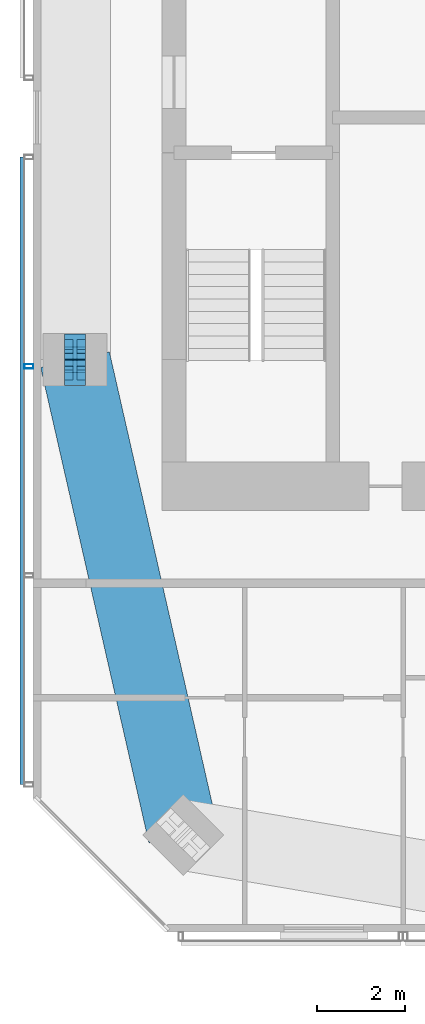
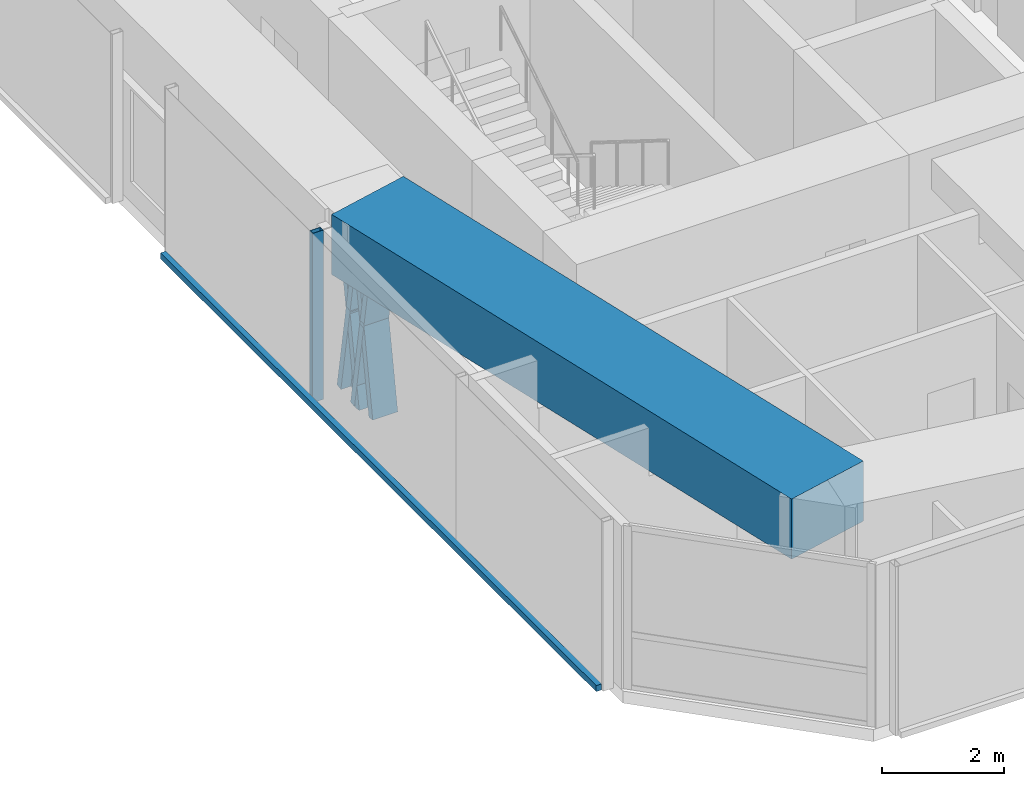
# One storey, part 3 of 18: 6 members, 1 beam, 1 element without a shape of its own.
"""IFC4 building model written with IfcOpenShell, lengths in metres."""

from ifc_helpers import new_model, si_unit, direction, frame, origin, origin_2d, place, context, subcontext, project, spatial, rectangle, hollow_rectangle, i_section, extrude, material, material_profile, profile_set, type_object, element, aggregate, save


model = new_model("IFC4")

# Units and contexts
model_context = context("Model", 3, precision=1e-05, world=origin(), true_north=direction((0.0, 1.0)))
body_context = subcontext(model_context, "Body", "Model", "MODEL_VIEW")
ifc_project = project(units=[si_unit("LENGTHUNIT", "METRE"), si_unit("AREAUNIT", "SQUARE_METRE"), si_unit("VOLUMEUNIT", "CUBIC_METRE"), si_unit("PLANEANGLEUNIT", "RADIAN"), si_unit("MASSUNIT", "GRAM", prefix="KILO")], contexts=[model_context])

# Site, building, storey
site_placement = place(None, origin())
site = spatial("IfcSite", under=ifc_project, at=site_placement, CompositionType="ELEMENT")
building_placement = place(site_placement, origin())
building = spatial("IfcBuilding", under=site, at=building_placement, Name="Jalousie Tower", CompositionType="ELEMENT")
storey_placement = place(building_placement, frame((0.0, 0.0, 249.449951171875)))
storey = spatial("IfcBuildingStorey", under=building, at=storey_placement, Name="L68", CompositionType="ELEMENT", Elevation=249.449951171875)

# Members
ifc_material_1 = material(Name="Steel ASTM A992 Grade 50", Category="steel")
ifc_material_profile_1 = material_profile(ifc_material_1, i_section(OverallWidth=0.472412109375, OverallDepth=0.5791015625, WebThickness=0.094970703125, FlangeThickness=0.1298828125, at=origin_2d()), Name="W14X808")
ifc_profile_set_1 = profile_set([ifc_material_profile_1], Name="Steel ASTM A992 Grade 50")
member_type_1 = type_object("IfcMemberType", Name="PERIMETER BRACE W14X808", PredefinedType="BRACE", material=ifc_profile_set_1)
for number, where, z_axis, x_axis, name in (
    (1, (17.75, 12.699951171875, -0.599853515625), (0.0, 0.168990530437, 0.98561767467), (-1.0, 0.0, 0.0), "Perimeter brace 14 L68 part 1"),
    (2, (17.75, 13.0, 1.150146484375), (0.0, 0.168990530437, 0.98561767467), (-1.0, 0.0, 0.0), "Perimeter brace 14 L68 part 2"),
    (3, (17.75, 13.300048828125, -0.599853515625), (0.0, -0.168990530437, 0.98561767467), (1.0, 0.0, 0.0), "Perimeter brace 14 L68 part 3"),
    (4, (17.75, 13.0, 1.150146484375), (0.0, -0.168990530437, 0.98561767467), (1.0, 0.0, 0.0), "Perimeter brace 14 L68 part 4"),
):
    element("IfcMember", number, at=place(storey_placement, frame(where, z_axis=z_axis, x_axis=x_axis)), inside=storey, type_object=member_type_1, Name=name, PredefinedType="BRACE", context=body_context, shape_type="SweptSolid", body=[
        extrude(i_section(OverallWidth=0.472412109375, OverallDepth=0.5791015625, WebThickness=0.094970703125, FlangeThickness=0.1298828125, at=origin_2d()), origin(), (0.0, 0.0, 1.0), 1.775634765625),
    ])

# Beam
ifc_material_2 = material(Name="Concrete f'c 40 MPa", Category="concrete")
ifc_material_profile_2 = material_profile(ifc_material_2, rectangle(XDim=1.60009765625, YDim=1.199951171875, at=origin_2d()), Name="RC 1600x1200")
ifc_profile_set_2 = profile_set([ifc_material_profile_2], Name="Concrete f'c 40 MPa")
beam_type = type_object("IfcBeamType", Name="RC BEAM 1600x1200", PredefinedType="BEAM", material=ifc_profile_set_2)
beam_placement = place(storey_placement, frame((17.75, 13.0, 2.900146484375), z_axis=(0.221971905818, -0.975053061647, 0.0), x_axis=(0.975053061647, 0.221971905818, 0.0)))
element("IfcBeam", 5, at=beam_placement, inside=storey, type_object=beam_type, Name="Edge band beam 14-01 under L69", PredefinedType="BEAM", context=body_context, shape_type="SweptSolid", body=[
    extrude(rectangle(XDim=1.60009765625, YDim=1.199951171875, at=origin_2d()), origin(), (0.0, 0.0, 1.0), 11.069091796875),
])

# Curtain wall, members
ifc_material_3 = material(Name="Perforated aluminium sheet", Category="aluminium")
curtain_wall_type = type_object("IfcCurtainWallType", Name="SOLAR SCREEN SS-2", PredefinedType="USERDEFINED", material=ifc_material_3)
curtain_wall_placement = place(storey_placement, origin())
curtain_wall = element("IfcCurtainWall", 6, at=curtain_wall_placement, inside=storey, type_object=curtain_wall_type, Name="Solar screen L68", ObjectType="SOLAR SCREEN SS-2", PredefinedType="USERDEFINED")
ifc_material_4 = material(Name="Steel ASTM A500 Grade C", Category="steel")
ifc_material_profile_3 = material_profile(ifc_material_4, hollow_rectangle(XDim=0.1015625, YDim=0.203125, WallThickness=0.0078125, at=origin_2d()), Name="HSS8X4X5/16")
ifc_profile_set_3 = profile_set([ifc_material_profile_3], Name="Steel ASTM A500 Grade C")
member_type_2 = type_object("IfcMemberType", Name="SOLAR SCREEN SS-2 MULLION", PredefinedType="MULLION", material=ifc_profile_set_3)
member_1_placement = place(storey_placement, frame((16.703369140625, 12.850341796875, -0.119873046875), z_axis=(0.0, 0.0, 1.0), x_axis=(0.0, -1.0, 0.0)))
member_1 = element("IfcMember", 7, at=member_1_placement, type_object=member_type_2, Name="SS2 post 2", PredefinedType="MULLION", context=body_context, shape_type="SweptSolid", body=[
    extrude(hollow_rectangle(XDim=0.1015625, YDim=0.203125, WallThickness=0.0078125, at=origin_2d()), origin(), (0.0, 0.0, 1.0), 3.3798828125),
])
ifc_material_5 = material(Name="Extruded aluminium screen rail", Category="aluminium")
ifc_material_profile_4 = material_profile(ifc_material_5, rectangle(XDim=0.1015625, YDim=0.1201171875, at=origin_2d()), Name="RAIL 102x120")
ifc_profile_set_4 = profile_set([ifc_material_profile_4], Name="Extruded aluminium screen rail")
member_type_3 = type_object("IfcMemberType", Name="SOLAR SCREEN SS-2 TRANSOM", PredefinedType="USERDEFINED", material=ifc_profile_set_4)
member_2_placement = place(storey_placement, frame((16.551025390625, 17.60009765625, -0.06005859375), z_axis=(0.0, -1.0, 0.0), x_axis=(1.0, 0.0, 0.0)))
member_2 = element("IfcMember", 8, at=member_2_placement, type_object=member_type_3, Name="SS2 rail", ObjectType="TRANSOM", PredefinedType="USERDEFINED", context=body_context, shape_type="SweptSolid", body=[
    extrude(rectangle(XDim=0.1015625, YDim=0.1201171875, at=origin_2d()), origin(), (0.0, 0.0, 1.0), 14.248779296875),
])
aggregate(curtain_wall, [member_1, member_2])

save(model, "model.ifc")
